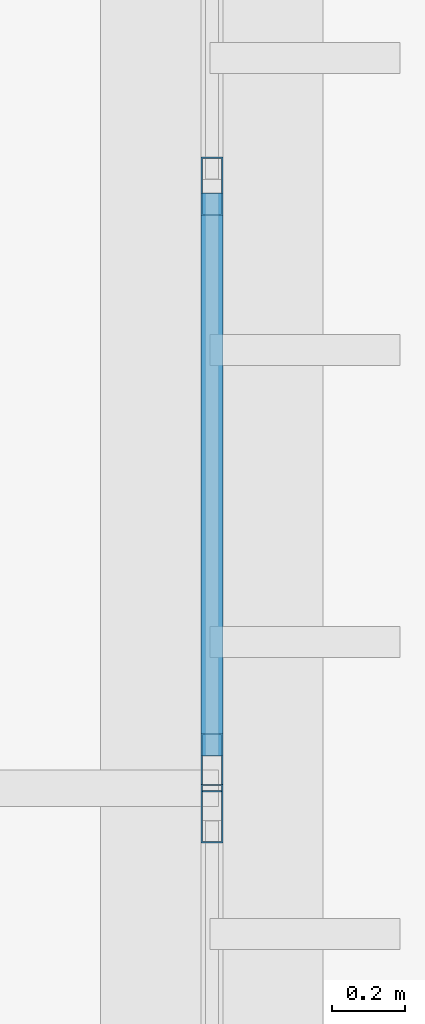
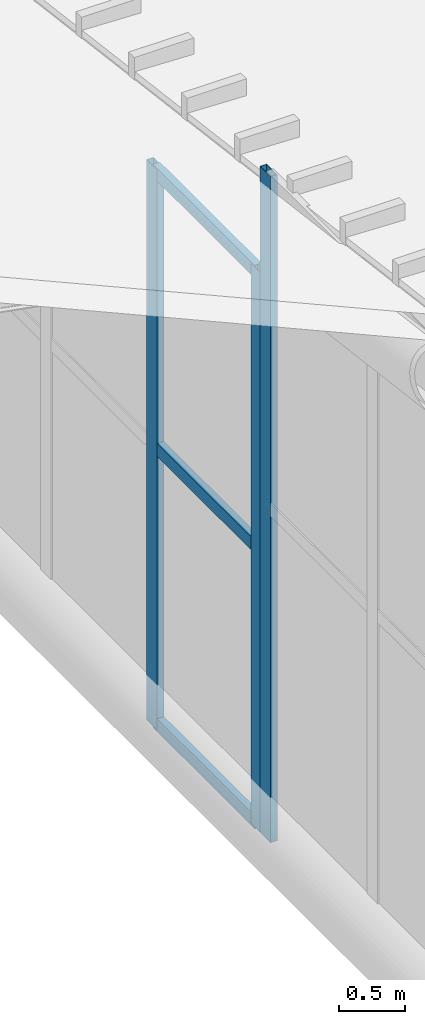
# One storey, part 297 of 397: 6 members, 2 elements without a shape of their own.
"""IFC4 building model written with IfcOpenShell, lengths in metres."""

from ifc_helpers import new_model, si_unit, direction, frame, origin, origin_2d, place, context, subcontext, project, spatial, hollow_rectangle, extrude, material, material_profile, profile_set, type_object, element, aggregate, save


model = new_model("IFC4")

# Units and contexts
model_context = context("Model", 3, precision=1e-05, world=origin(), true_north=direction((0.0, 1.0)))
body_context = subcontext(model_context, "Body", "Model", "MODEL_VIEW")
ifc_project = project(units=[si_unit("LENGTHUNIT", "METRE"), si_unit("AREAUNIT", "SQUARE_METRE"), si_unit("VOLUMEUNIT", "CUBIC_METRE"), si_unit("PLANEANGLEUNIT", "RADIAN"), si_unit("MASSUNIT", "GRAM", prefix="KILO")], contexts=[model_context])

# Site, building, storey
site_placement = place(None, origin())
site = spatial("IfcSite", under=ifc_project, at=site_placement, CompositionType="ELEMENT")
building_placement = place(site_placement, origin())
building = spatial("IfcBuilding", under=site, at=building_placement, Name="Qandorah Velis Arena", CompositionType="ELEMENT")
storey_placement = place(building_placement, frame((0.0, 0.0, 27.5)))
storey = spatial("IfcBuildingStorey", under=building, at=storey_placement, Name="RF", CompositionType="ELEMENT", Elevation=27.5)

# Curtain wall, member
ifc_material_1 = material(Name="Solar-control low-E double glazing", Category="glass")
curtain_wall_type_1 = type_object("IfcCurtainWallType", Name="ARC-CW-SYS15", PredefinedType="USERDEFINED", material=ifc_material_1)
curtain_wall_1_placement = place(storey_placement, origin())
curtain_wall_1 = element("IfcCurtainWall", 1, at=curtain_wall_1_placement, inside=storey, type_object=curtain_wall_type_1, Name="Unitised curtain wall CROWN-2-07S1", ObjectType="UNITISED CURTAIN WALL", PredefinedType="USERDEFINED")
ifc_material_2 = material(Name="Champagne-bronze anodized aluminium 6063-T6", Category="aluminium")
ifc_material_profile_1 = material_profile(ifc_material_2, hollow_rectangle(XDim=0.06005859375, YDim=0.159912109375, WallThickness=0.00341796875, at=origin_2d()), Name="ALU MULLION 60x160")
ifc_profile_set_1 = profile_set([ifc_material_profile_1], Name="Champagne-bronze anodized aluminium 6063-T6")
member_type_1 = type_object("IfcMemberType", Name="ARC-CWM-160", PredefinedType="MULLION", material=ifc_profile_set_1)
member_1_placement = place(storey_placement, frame((115.199951171875, 93.530029296875, -0.014892578125), z_axis=(0.0, 0.0, 1.0), x_axis=(-1.0, 0.0, 0.0)))
member_1 = element("IfcMember", 2, at=member_1_placement, type_object=member_type_1, Name="CW15 mullion 5", PredefinedType="MULLION", context=body_context, shape_type="SweptSolid", body=[
    extrude(hollow_rectangle(XDim=0.06005859375, YDim=0.159912109375, WallThickness=0.00341796875, at=origin_2d()), origin(), (0.0, 0.0, 1.0), 6.159423828125),
])
aggregate(curtain_wall_1, [member_1])

# Curtain wall, members
curtain_wall_type_2 = type_object("IfcCurtainWallType", Name="ARC-CW-SYS16", PredefinedType="USERDEFINED", material=ifc_material_1)
curtain_wall_2_placement = place(storey_placement, origin())
curtain_wall_2 = element("IfcCurtainWall", 3, at=curtain_wall_2_placement, inside=storey, type_object=curtain_wall_type_2, Name="Unitised curtain wall CROWN-2-07S2", ObjectType="UNITISED CURTAIN WALL", PredefinedType="USERDEFINED")
member_2_placement = place(storey_placement, frame((115.199951171875, 93.669921875, -0.014892578125), z_axis=(0.0, 0.0, 1.0), x_axis=(-1.0, 0.0, 0.0)))
member_2 = element("IfcMember", 4, at=member_2_placement, type_object=member_type_1, Name="CW16 mullion 1", PredefinedType="MULLION", context=body_context, shape_type="SweptSolid", body=[
    extrude(hollow_rectangle(XDim=0.06005859375, YDim=0.159912109375, WallThickness=0.00341796875, at=origin_2d()), origin(), (0.0, 0.0, 1.0), 5.180908203125),
])
member_3_placement = place(storey_placement, frame((115.199951171875, 95.248779296875, -0.014892578125), z_axis=(0.0, 0.0, 1.0), x_axis=(-1.0, 0.0, 0.0)))
member_3 = element("IfcMember", 5, at=member_3_placement, type_object=member_type_1, Name="CW16 mullion 2", PredefinedType="MULLION", context=body_context, shape_type="SweptSolid", body=[
    extrude(hollow_rectangle(XDim=0.06005859375, YDim=0.159912109375, WallThickness=0.00341796875, at=origin_2d()), origin(), (0.0, 0.0, 1.0), 5.180908203125),
])
ifc_material_profile_2 = material_profile(ifc_material_2, hollow_rectangle(XDim=0.06005859375, YDim=0.1201171875, WallThickness=0.0029296875, at=origin_2d()), Name="ALU TRANSOM 60x120")
ifc_profile_set_2 = profile_set([ifc_material_profile_2], Name="Champagne-bronze anodized aluminium 6063-T6")
member_type_2 = type_object("IfcMemberType", Name="ARC-CWT-120", PredefinedType="USERDEFINED", material=ifc_profile_set_2)
member_4_placement = place(storey_placement, frame((115.199951171875, 93.68798828125, 0.030029296875), z_axis=(0.0, 1.0, 0.0), x_axis=(-1.0, 0.0, 0.0)))
member_4 = element("IfcMember", 6, at=member_4_placement, type_object=member_type_2, Name="CW16 transom 1.1", ObjectType="TRANSOM", PredefinedType="USERDEFINED", context=body_context, shape_type="SweptSolid", body=[
    extrude(hollow_rectangle(XDim=0.06005859375, YDim=0.1201171875, WallThickness=0.0029296875, at=origin_2d()), origin(), (0.0, 0.0, 1.0), 1.542724609375),
])
member_5_placement = place(storey_placement, frame((115.199951171875, 93.68798828125, 2.575439453125), z_axis=(0.0, 1.0, 0.0), x_axis=(-1.0, 0.0, 0.0)))
member_5 = element("IfcMember", 7, at=member_5_placement, type_object=member_type_2, Name="CW16 transom 1.2", ObjectType="TRANSOM", PredefinedType="USERDEFINED", context=body_context, shape_type="SweptSolid", body=[
    extrude(hollow_rectangle(XDim=0.06005859375, YDim=0.1201171875, WallThickness=0.0029296875, at=origin_2d()), origin(), (0.0, 0.0, 1.0), 1.542724609375),
])
member_6_placement = place(storey_placement, frame((115.199951171875, 93.68798828125, 5.12109375), z_axis=(0.0, 1.0, 0.0), x_axis=(-1.0, 0.0, 0.0)))
member_6 = element("IfcMember", 8, at=member_6_placement, type_object=member_type_2, Name="CW16 transom 1.3", ObjectType="TRANSOM", PredefinedType="USERDEFINED", context=body_context, shape_type="SweptSolid", body=[
    extrude(hollow_rectangle(XDim=0.06005859375, YDim=0.1201171875, WallThickness=0.0029296875, at=origin_2d()), origin(), (0.0, 0.0, 1.0), 1.542724609375),
])
aggregate(curtain_wall_2, [member_2, member_3, member_4, member_5, member_6])

save(model, "model.ifc")
